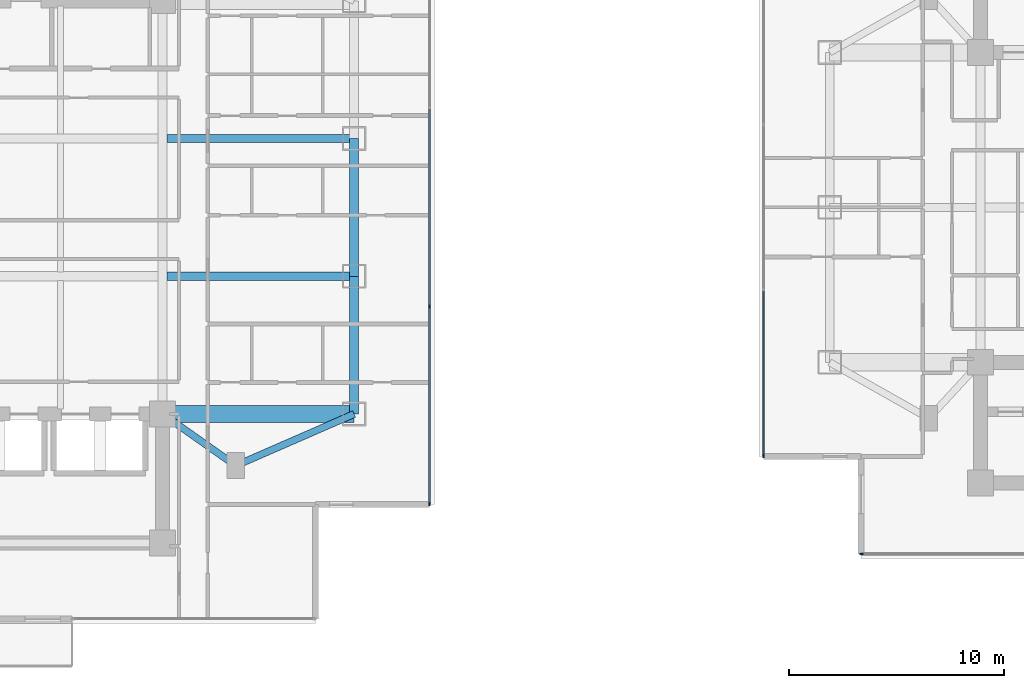
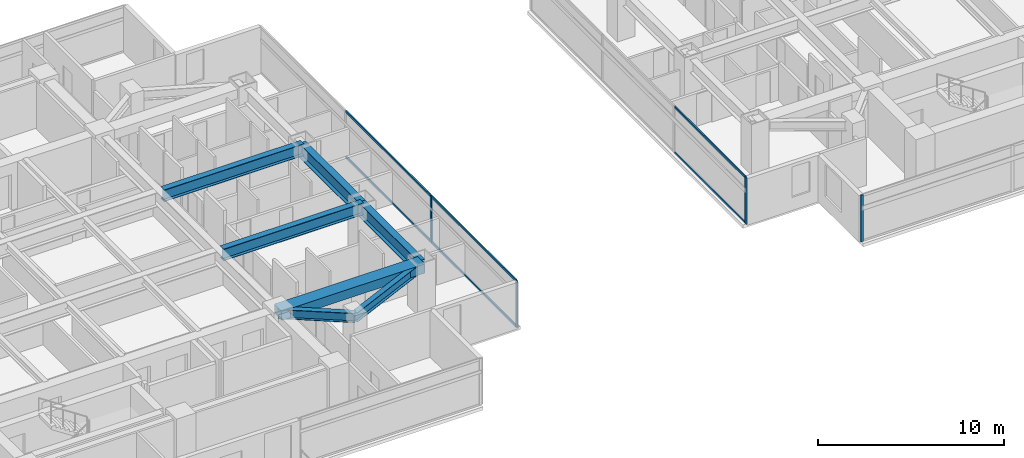
# One storey, part 5 of 26: 10 members, 7 beams, 3 elements without a shape of their own.
"""IFC4 building model written with IfcOpenShell, lengths in metres."""

from ifc_helpers import new_model, si_unit, direction, frame, origin, origin_2d, place, context, subcontext, project, spatial, rectangle, i_section, extrude, material, material_profile, profile_set, type_object, element, aggregate, save


model = new_model("IFC4")

# Units and contexts
model_context = context("Model", 3, precision=1e-05, world=origin(), true_north=direction((0.0, 1.0)))
body_context = subcontext(model_context, "Body", "Model", "MODEL_VIEW")
ifc_project = project(units=[si_unit("LENGTHUNIT", "METRE"), si_unit("AREAUNIT", "SQUARE_METRE"), si_unit("VOLUMEUNIT", "CUBIC_METRE"), si_unit("PLANEANGLEUNIT", "RADIAN"), si_unit("MASSUNIT", "GRAM", prefix="KILO")], contexts=[model_context])

# Site, building, storey
site_placement = place(None, origin())
site = spatial("IfcSite", under=ifc_project, at=site_placement, CompositionType="ELEMENT")
building_placement = place(site_placement, origin())
building = spatial("IfcBuilding", under=site, at=building_placement, Name="Mirazonda Arch Towers", CompositionType="ELEMENT")
storey_placement = place(building_placement, frame((0.0, 0.0, 108.199951171875)))
storey = spatial("IfcBuildingStorey", under=building, at=storey_placement, Name="L30", CompositionType="ELEMENT", Elevation=108.199951171875)

# Beams
ifc_material_1 = material(Name="Steel ASTM A992 Grade 50", Category="steel")
ifc_material_profile_1 = material_profile(ifc_material_1, i_section(OverallWidth=0.41796875, OverallDepth=0.927001953125, WebThickness=0.019287109375, FlangeThickness=0.031982421875, at=origin_2d()), Name="W36X231")
ifc_profile_set_1 = profile_set([ifc_material_profile_1], Name="Steel ASTM A992 Grade 50")
beam_type_1 = type_object("IfcBeamType", Name="BM-EXT-W36X231", PredefinedType="USERDEFINED", material=ifc_profile_set_1)
beam_1_placement = place(storey_placement, frame((38.89990234375, 18.39990234375, 2.616455078125), z_axis=(0.0, 1.0, 0.0), x_axis=(-1.0, 0.0, 0.0)))
element("IfcBeam", 1, at=beam_1_placement, inside=storey, type_object=beam_type_1, Name="L30 Floor Beam BM-T1-L30-NS-E-18", ObjectType="GIRDER", PredefinedType="USERDEFINED", context=body_context, shape_type="SweptSolid", body=[
    extrude(i_section(OverallWidth=0.41796875, OverallDepth=0.927001953125, WebThickness=0.019287109375, FlangeThickness=0.031982421875, at=origin_2d()), origin(), (0.0, 0.0, 1.0), 6.400146484375),
])
beam_2_placement = place(storey_placement, frame((38.89990234375, 24.800048828125, 2.616455078125), z_axis=(0.0, 1.0, 0.0), x_axis=(-1.0, 0.0, 0.0)))
element("IfcBeam", 2, at=beam_2_placement, inside=storey, type_object=beam_type_1, Name="L30 Floor Beam BM-T1-L30-NS-E-24", ObjectType="GIRDER", PredefinedType="USERDEFINED", context=body_context, shape_type="SweptSolid", body=[
    extrude(i_section(OverallWidth=0.41796875, OverallDepth=0.927001953125, WebThickness=0.019287109375, FlangeThickness=0.031982421875, at=origin_2d()), origin(), (0.0, 0.0, 1.0), 6.39990234375),
])
ifc_material_profile_2 = material_profile(ifc_material_1, i_section(OverallWidth=0.324951171875, OverallDepth=0.615966796875, WebThickness=0.013916015625, FlangeThickness=0.021484375, at=origin_2d()), Name="W24X117")
ifc_profile_set_2 = profile_set([ifc_material_profile_2], Name="Steel ASTM A992 Grade 50")
beam_type_2 = type_object("IfcBeamType", Name="BM-INT-W24X117", PredefinedType="BEAM", material=ifc_profile_set_2)
beam_3_placement = place(storey_placement, frame((33.39990234375, 16.0, 2.77197265625), z_axis=(-0.816971114901, 0.576678591087, 0.0), x_axis=(-0.576678591087, -0.816971114901, 0.0)))
element("IfcBeam", 3, at=beam_3_placement, inside=storey, type_object=beam_type_2, Name="L30 Floor Beam BM-T1-L30-PL-SE1", PredefinedType="BEAM", context=body_context, shape_type="SweptSolid", body=[
    extrude(i_section(OverallWidth=0.324951171875, OverallDepth=0.615966796875, WebThickness=0.013916015625, FlangeThickness=0.021484375, at=origin_2d()), origin(), (0.0, 0.0, 1.0), 4.16162109375),
])
beam_4_placement = place(storey_placement, frame((33.39990234375, 16.0, 2.77197265625), z_axis=(0.916545343703, 0.399930785183, 0.0), x_axis=(-0.399930785183, 0.916545343703, 0.0)))
element("IfcBeam", 4, at=beam_4_placement, inside=storey, type_object=beam_type_2, Name="L30 Floor Beam BM-T1-L30-PL-SE2", PredefinedType="BEAM", context=body_context, shape_type="SweptSolid", body=[
    extrude(i_section(OverallWidth=0.324951171875, OverallDepth=0.615966796875, WebThickness=0.013916015625, FlangeThickness=0.021484375, at=origin_2d()), origin(), (0.0, 0.0, 1.0), 6.000732421875),
])
ifc_material_profile_3 = material_profile(ifc_material_1, i_section(OverallWidth=0.381103515625, OverallDepth=0.77294921875, WebThickness=0.0166015625, FlangeThickness=0.027099609375, at=origin_2d()), Name="W30X173")
ifc_profile_set_3 = profile_set([ifc_material_profile_3], Name="Steel ASTM A992 Grade 50")
beam_type_3 = type_object("IfcBeamType", Name="BM-INT-W30X173", PredefinedType="USERDEFINED", material=ifc_profile_set_3)
for number, where, z_axis, x_axis, name in (
    (5, (30.21142578125, 24.800048828125, 2.693603515625), (1.0, 0.0, 0.0), (0.0, 1.0, 0.0), "L30 Floor Beam BM-T1-L30-GE2"),
    (6, (30.21142578125, 31.199951171875, 2.693603515625), (1.0, 0.0, 0.0), (0.0, 1.0, 0.0), "L30 Floor Beam BM-T1-L30-GE3"),
):
    element("IfcBeam", number, at=place(storey_placement, frame(where, z_axis=z_axis, x_axis=x_axis)), inside=storey, type_object=beam_type_3, Name=name, ObjectType="GIRDER", PredefinedType="USERDEFINED", context=body_context, shape_type="SweptSolid", body=[
        extrude(i_section(OverallWidth=0.381103515625, OverallDepth=0.77294921875, WebThickness=0.0166015625, FlangeThickness=0.027099609375, at=origin_2d()), origin(), (0.0, 0.0, 1.0), 8.6884765625),
    ])
ifc_material_2 = material(Name="Concrete C60/75", Category="concrete")
ifc_material_profile_4 = material_profile(ifc_material_2, rectangle(XDim=0.800048828125, YDim=0.60009765625, at=origin_2d()), Name="RCCB800x600")
ifc_profile_set_4 = profile_set([ifc_material_profile_4], Name="Concrete C60/75")
beam_type_4 = type_object("IfcBeamType", Name="CB-INT-RCCB800x600", PredefinedType="SPANDREL", material=ifc_profile_set_4)
beam_5_placement = place(storey_placement, frame((30.0, 18.39990234375, 2.780029296875), z_axis=(1.0, 0.0, 0.0), x_axis=(0.0, 1.0, 0.0)))
element("IfcBeam", 7, at=beam_5_placement, inside=storey, type_object=beam_type_4, Name="L30 Floor Beam CBC-T1-L30-SE", PredefinedType="SPANDREL", context=body_context, shape_type="SweptSolid", body=[
    extrude(rectangle(XDim=0.800048828125, YDim=0.60009765625, at=origin_2d()), origin(), (0.0, 0.0, 1.0), 8.89990234375),
])

# Curtain wall, members
ifc_material_3 = material(Name="Anodised Aluminium and Low-E Glass", Category="aluminium")
curtain_wall_type = type_object("IfcCurtainWallType", Name="CW-HTL-UNIT", PredefinedType="NOTDEFINED", material=ifc_material_3)
curtain_wall_1_placement = place(storey_placement, origin())
curtain_wall_1 = element("IfcCurtainWall", 8, at=curtain_wall_1_placement, inside=storey, type_object=curtain_wall_type, Name="L30 T1 E Facade CW-L30-T1-E", PredefinedType="NOTDEFINED")
ifc_material_4 = material(Name="Anodised Aluminium Alloy", Category="aluminium")
ifc_material_profile_5 = material_profile(ifc_material_4, rectangle(XDim=0.074951171875, YDim=0.1650390625, at=origin_2d()), Name="ALU-MULL-75x165")
ifc_profile_set_5 = profile_set([ifc_material_profile_5], Name="Anodised Aluminium Alloy")
member_type_1 = type_object("IfcMemberType", Name="MULL-CW-HTL-UNIT", PredefinedType="MULLION", material=ifc_profile_set_5)
member_1_placement = place(storey_placement, frame((42.409912109375, 14.224609375, 0.0), z_axis=(0.0, 0.0, 1.0), x_axis=(-1.0, 0.0, 0.0)))
member_1 = element("IfcMember", 9, at=member_1_placement, type_object=member_type_1, Name="CW-112 mullion 1", PredefinedType="MULLION", context=body_context, shape_type="SweptSolid", body=[
    extrude(rectangle(XDim=0.074951171875, YDim=0.1650390625, at=origin_2d()), origin(), (0.0, 0.0, 1.0), 3.06005859375),
])
member_2_placement = place(storey_placement, frame((42.409912109375, 23.395751953125, 0.0), z_axis=(0.0, 0.0, 1.0), x_axis=(-1.0, 0.0, 0.0)))
member_2 = element("IfcMember", 10, at=member_2_placement, type_object=member_type_1, Name="CW-112 mullion 2", PredefinedType="MULLION", context=body_context, shape_type="SweptSolid", body=[
    extrude(rectangle(XDim=0.074951171875, YDim=0.1650390625, at=origin_2d()), origin(), (0.0, 0.0, 1.0), 3.06005859375),
])

# Curtain wall, member
curtain_wall_2_placement = place(storey_placement, origin())
curtain_wall_2 = element("IfcCurtainWall", 11, at=curtain_wall_2_placement, inside=storey, type_object=curtain_wall_type, Name="L30 T2 S Facade CW-L30-T2-S", PredefinedType="NOTDEFINED")
member_3_placement = place(storey_placement, frame((62.4833984375, 11.902587890625, 0.0), z_axis=(0.0, 0.0, 1.0), x_axis=(0.0, -1.0, 0.0)))
member_3 = element("IfcMember", 12, at=member_3_placement, type_object=member_type_1, Name="CW-112 mullion 4", PredefinedType="MULLION", context=body_context, shape_type="SweptSolid", body=[
    extrude(rectangle(XDim=0.074951171875, YDim=0.1650390625, at=origin_2d()), origin(), (0.0, 0.0, 1.0), 3.06005859375),
])
aggregate(curtain_wall_2, [member_3])

curtain_wall_3_placement = place(storey_placement, origin())
curtain_wall_3 = element("IfcCurtainWall", 13, at=curtain_wall_3_placement, inside=storey, type_object=curtain_wall_type, Name="L30 T2 W Facade CW-L30-T2-W", PredefinedType="NOTDEFINED")
member_4_placement = place(storey_placement, frame((57.929443359375, 16.45654296875, 0.0), z_axis=(0.0, 0.0, 1.0), x_axis=(1.0, 0.0, 0.0)))
member_4 = element("IfcMember", 14, at=member_4_placement, type_object=member_type_1, Name="CW-112 mullion 4", PredefinedType="MULLION", context=body_context, shape_type="SweptSolid", body=[
    extrude(rectangle(XDim=0.074951171875, YDim=0.1650390625, at=origin_2d()), origin(), (0.0, 0.0, 1.0), 3.06005859375),
])

# Member
ifc_material_profile_6 = material_profile(ifc_material_4, rectangle(XDim=0.074951171875, YDim=0.14501953125, at=origin_2d()), Name="ALU-TRAN-75x145")
ifc_profile_set_6 = profile_set([ifc_material_profile_6], Name="Anodised Aluminium Alloy")
member_type_2 = type_object("IfcMemberType", Name="TRAN-CW-HTL-UNIT", PredefinedType="USERDEFINED", material=ifc_profile_set_6)
member_5_placement = place(storey_placement, frame((42.409912109375, 14.261962890625, 0.03759765625), z_axis=(0.0, 1.0, 0.0), x_axis=(-1.0, 0.0, 0.0)))
member_5 = element("IfcMember", 15, at=member_5_placement, type_object=member_type_2, Name="CW-112 transom 1.1", ObjectType="TRANSOM", PredefinedType="USERDEFINED", context=body_context, shape_type="SweptSolid", body=[
    extrude(rectangle(XDim=0.074951171875, YDim=0.14501953125, at=origin_2d()), origin(), (0.0, 0.0, 1.0), 9.09619140625),
])

member_6_placement = place(storey_placement, frame((42.409912109375, 14.261962890625, 3.0224609375), z_axis=(0.0, 1.0, 0.0), x_axis=(-1.0, 0.0, 0.0)))
member_6 = element("IfcMember", 16, at=member_6_placement, type_object=member_type_2, Name="CW-112 transom 1.2", ObjectType="TRANSOM", PredefinedType="USERDEFINED", context=body_context, shape_type="SweptSolid", body=[
    extrude(rectangle(XDim=0.074951171875, YDim=0.14501953125, at=origin_2d()), origin(), (0.0, 0.0, 1.0), 9.09619140625),
])

member_7_placement = place(storey_placement, frame((42.409912109375, 23.43310546875, 0.03759765625), z_axis=(0.0, 1.0, 0.0), x_axis=(-1.0, 0.0, 0.0)))
member_7 = element("IfcMember", 17, at=member_7_placement, type_object=member_type_2, Name="CW-112 transom 2.1", ObjectType="TRANSOM", PredefinedType="USERDEFINED", context=body_context, shape_type="SweptSolid", body=[
    extrude(rectangle(XDim=0.074951171875, YDim=0.14501953125, at=origin_2d()), origin(), (0.0, 0.0, 1.0), 9.1337890625),
])

member_8_placement = place(storey_placement, frame((42.409912109375, 23.43310546875, 3.0224609375), z_axis=(0.0, 1.0, 0.0), x_axis=(-1.0, 0.0, 0.0)))
member_8 = element("IfcMember", 18, at=member_8_placement, type_object=member_type_2, Name="CW-112 transom 2.2", ObjectType="TRANSOM", PredefinedType="USERDEFINED", context=body_context, shape_type="SweptSolid", body=[
    extrude(rectangle(XDim=0.074951171875, YDim=0.14501953125, at=origin_2d()), origin(), (0.0, 0.0, 1.0), 9.1337890625),
])

aggregate(curtain_wall_1, [member_1, member_2, member_5, member_6, member_7, member_8])

member_9_placement = place(storey_placement, frame((57.929443359375, 24.10205078125, 0.03759765625), z_axis=(0.0, -1.0, 0.0), x_axis=(1.0, 0.0, 0.0)))
member_9 = element("IfcMember", 19, at=member_9_placement, type_object=member_type_2, Name="CW-112 transom 3.1", ObjectType="TRANSOM", PredefinedType="USERDEFINED", context=body_context, shape_type="SweptSolid", body=[
    extrude(rectangle(XDim=0.074951171875, YDim=0.14501953125, at=origin_2d()), origin(), (0.0, 0.0, 1.0), 7.608154296875),
])

member_10_placement = place(storey_placement, frame((57.929443359375, 24.10205078125, 3.0224609375), z_axis=(0.0, -1.0, 0.0), x_axis=(1.0, 0.0, 0.0)))
member_10 = element("IfcMember", 20, at=member_10_placement, type_object=member_type_2, Name="CW-112 transom 3.2", ObjectType="TRANSOM", PredefinedType="USERDEFINED", context=body_context, shape_type="SweptSolid", body=[
    extrude(rectangle(XDim=0.074951171875, YDim=0.14501953125, at=origin_2d()), origin(), (0.0, 0.0, 1.0), 7.608154296875),
])

aggregate(curtain_wall_3, [member_4, member_9, member_10])

save(model, "model.ifc")
